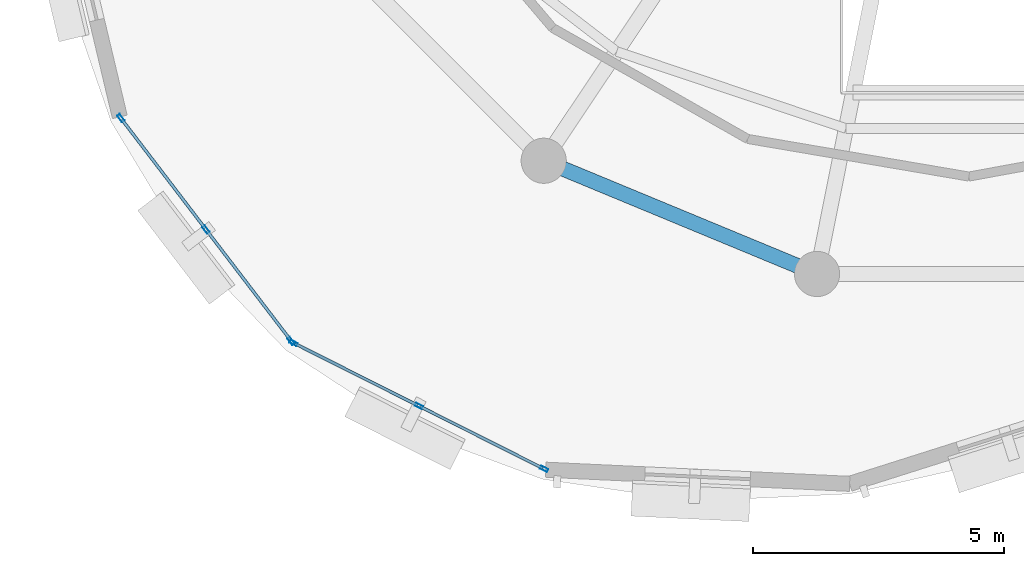
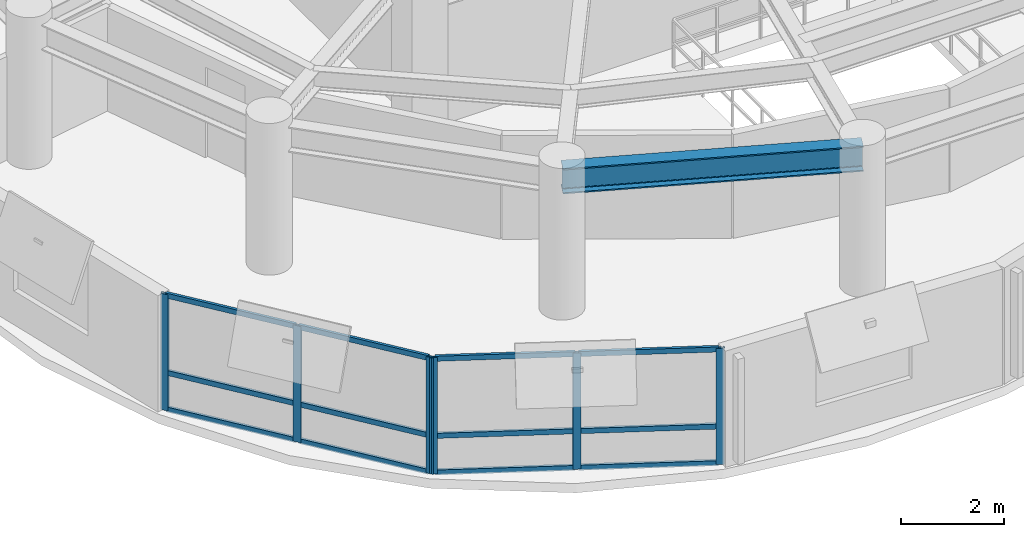
# One storey, part 2 of 11: 18 members, 1 beam, 2 elements without a shape of their own.
"""IFC4 building model written with IfcOpenShell, lengths in metres."""

from ifc_helpers import new_model, si_unit, direction, frame, origin, origin_2d, place, context, subcontext, project, spatial, hollow_rectangle, i_section, extrude, material, layer, layer_set, material_profile, profile_set, type_object, element, aggregate, save


model = new_model("IFC4")

# Units and contexts
model_context = context("Model", 3, precision=1e-05, world=origin(), true_north=direction((0.0, 1.0)))
body_context = subcontext(model_context, "Body", "Model", "MODEL_VIEW")
ifc_project = project(units=[si_unit("LENGTHUNIT", "METRE"), si_unit("AREAUNIT", "SQUARE_METRE"), si_unit("VOLUMEUNIT", "CUBIC_METRE"), si_unit("PLANEANGLEUNIT", "RADIAN"), si_unit("MASSUNIT", "GRAM", prefix="KILO"), si_unit("THERMODYNAMICTEMPERATUREUNIT", "KELVIN"), si_unit("POWERUNIT", "WATT")], contexts=[model_context])

# Site, building, storey
site_placement = place(None, origin())
site = spatial("IfcSite", under=ifc_project, at=site_placement, CompositionType="ELEMENT")
building_placement = place(site_placement, origin())
building = spatial("IfcBuilding", under=site, at=building_placement, Name="Ocrelia Relay Tower", CompositionType="ELEMENT")
storey_placement = place(building_placement, frame((0.0, 0.0, 241.199951171875)))
storey = spatial("IfcBuildingStorey", under=building, at=storey_placement, Name="L59", CompositionType="ELEMENT", Elevation=241.199951171875)

# Beam
ifc_material_1 = material(Name="Steel S355", Category="steel")
ifc_material_profile_1 = material_profile(ifc_material_1, i_section(OverallWidth=0.300048828125, OverallDepth=0.60009765625, WebThickness=0.015380859375, FlangeThickness=0.030029296875, FilletRadius=0.027099609375, at=origin_2d()), Name="HEB 600")
ifc_profile_set_1 = profile_set([ifc_material_profile_1], Name="Steel S355")
beam_type = type_object("IfcBeamType", Name="BM-HEB600", PredefinedType="BEAM", material=ifc_profile_set_1)
beam_placement = place(storey_placement, frame((25.61083984375, 13.44482421875, 3.080078125), z_axis=(0.923884009374, -0.382672624084, 0.0), x_axis=(0.382672624084, 0.923884009374, 0.0)))
element("IfcBeam", 1, at=beam_placement, inside=storey, type_object=beam_type, Name="L59 Perimeter Spandrel Beam S11", PredefinedType="BEAM", context=body_context, shape_type="SweptSolid", body=[
    extrude(i_section(OverallWidth=0.300048828125, OverallDepth=0.60009765625, WebThickness=0.015380859375, FlangeThickness=0.030029296875, FilletRadius=0.027099609375, at=origin_2d()), origin(), (0.0, 0.0, 1.0), 5.891845703125),
])

# Curtain wall, members
ifc_material_2 = material(Name="Aluminium and solar-control low-E glass", Category="aluminium")
ifc_layer = layer(ifc_material_2, 0.179931640625, Name="Aluminium and solar-control low-E glass")
ifc_layer_set = layer_set([ifc_layer], Name="Aluminium and solar-control low-E glass")
curtain_wall_type = type_object("IfcCurtainWallType", Name="CW-SYS-Z4-EXEC", PredefinedType="NOTDEFINED", material=ifc_layer_set)
curtain_wall_1_placement = place(storey_placement, origin())
curtain_wall_1 = element("IfcCurtainWall", 2, at=curtain_wall_1_placement, inside=storey, type_object=curtain_wall_type, Name="L59 Elliptical Tower Curtain Wall Bay 09", PredefinedType="NOTDEFINED")
ifc_material_3 = material(Name="Anodised bronze aluminium", Category="aluminium")
ifc_material_profile_2 = material_profile(ifc_material_3, hollow_rectangle(XDim=0.06494140625, YDim=0.159912109375, WallThickness=0.0048828125, at=origin_2d()), Name="CW-MUL-160x65")
ifc_profile_set_2 = profile_set([ifc_material_profile_2], Name="Anodised bronze aluminium")
member_type_1 = type_object("IfcMemberType", Name="CW-SYS-Z4-EXEC-MUL", PredefinedType="MULLION", material=ifc_profile_set_2)
member_1_placement = place(storey_placement, frame((17.18798828125, 14.2939453125, 0.0), z_axis=(0.0, 0.0, 1.0), x_axis=(0.794435690693, 0.607348280111, 0.0)))
member_1 = element("IfcMember", 3, at=member_1_placement, type_object=member_type_1, Name="CW-Z4 mullion 1", PredefinedType="MULLION", context=body_context, shape_type="SweptSolid", body=[
    extrude(hollow_rectangle(XDim=0.06494140625, YDim=0.159912109375, WallThickness=0.0048828125, at=origin_2d()), origin(), (0.0, 0.0, 1.0), 2.760009765625),
])
member_2_placement = place(storey_placement, frame((18.884033203125, 12.0751953125, 0.0), z_axis=(0.0, 0.0, 1.0), x_axis=(0.794435690693, 0.607348280111, 0.0)))
member_2 = element("IfcMember", 4, at=member_2_placement, type_object=member_type_1, Name="CW-Z4 mullion 2", PredefinedType="MULLION", context=body_context, shape_type="SweptSolid", body=[
    extrude(hollow_rectangle(XDim=0.06494140625, YDim=0.159912109375, WallThickness=0.0048828125, at=origin_2d()), origin(), (0.0, 0.0, 1.0), 2.760009765625),
])
member_3_placement = place(storey_placement, frame((20.580322265625, 9.856689453125, 0.0), z_axis=(0.0, 0.0, 1.0), x_axis=(0.794435690693, 0.607348280111, 0.0)))
member_3 = element("IfcMember", 5, at=member_3_placement, type_object=member_type_1, Name="CW-Z4 mullion 3", PredefinedType="MULLION", context=body_context, shape_type="SweptSolid", body=[
    extrude(hollow_rectangle(XDim=0.06494140625, YDim=0.159912109375, WallThickness=0.0048828125, at=origin_2d()), origin(), (0.0, 0.0, 1.0), 2.760009765625),
])

curtain_wall_2_placement = place(storey_placement, origin())
curtain_wall_2 = element("IfcCurtainWall", 6, at=curtain_wall_2_placement, inside=storey, type_object=curtain_wall_type, Name="L59 Elliptical Tower Curtain Wall Bay 10", PredefinedType="NOTDEFINED")
member_4_placement = place(storey_placement, frame((20.629150390625, 9.81640625, 0.0), z_axis=(0.0, 0.0, 1.0), x_axis=(0.449286622511, 0.893387671077, 0.0)))
member_4 = element("IfcMember", 7, at=member_4_placement, type_object=member_type_1, Name="CW-Z4 mullion 1", PredefinedType="MULLION", context=body_context, shape_type="SweptSolid", body=[
    extrude(hollow_rectangle(XDim=0.06494140625, YDim=0.159912109375, WallThickness=0.0048828125, at=origin_2d()), origin(), (0.0, 0.0, 1.0), 2.760009765625),
])
member_5_placement = place(storey_placement, frame((23.1240234375, 8.5615234375, 0.0), z_axis=(0.0, 0.0, 1.0), x_axis=(0.449286622511, 0.893387671077, 0.0)))
member_5 = element("IfcMember", 8, at=member_5_placement, type_object=member_type_1, Name="CW-Z4 mullion 2", PredefinedType="MULLION", context=body_context, shape_type="SweptSolid", body=[
    extrude(hollow_rectangle(XDim=0.06494140625, YDim=0.159912109375, WallThickness=0.0048828125, at=origin_2d()), origin(), (0.0, 0.0, 1.0), 2.760009765625),
])
member_6_placement = place(storey_placement, frame((25.618896484375, 7.306884765625, 0.0), z_axis=(0.0, 0.0, 1.0), x_axis=(0.449286622511, 0.893387671077, 0.0)))
member_6 = element("IfcMember", 9, at=member_6_placement, type_object=member_type_1, Name="CW-Z4 mullion 3", PredefinedType="MULLION", context=body_context, shape_type="SweptSolid", body=[
    extrude(hollow_rectangle(XDim=0.06494140625, YDim=0.159912109375, WallThickness=0.0048828125, at=origin_2d()), origin(), (0.0, 0.0, 1.0), 2.760009765625),
])

# Member
ifc_material_profile_3 = material_profile(ifc_material_3, hollow_rectangle(XDim=0.06005859375, YDim=0.1201171875, WallThickness=0.0048828125, at=origin_2d()), Name="CW-TRN-120x60")
ifc_profile_set_3 = profile_set([ifc_material_profile_3], Name="Anodised bronze aluminium")
member_type_2 = type_object("IfcMemberType", Name="CW-SYS-Z4-EXEC-TRN", PredefinedType="USERDEFINED", material=ifc_profile_set_3)
member_7_placement = place(storey_placement, frame((17.207763671875, 14.26806640625, 0.030029296875), z_axis=(0.607363728238, -0.794423880319, 0.0), x_axis=(0.794423880319, 0.607363728238, 0.0)))
member_7 = element("IfcMember", 10, at=member_7_placement, type_object=member_type_2, Name="CW-Z4 transom 1.1", ObjectType="TRANSOM", PredefinedType="USERDEFINED", context=body_context, shape_type="SweptSolid", body=[
    extrude(hollow_rectangle(XDim=0.06005859375, YDim=0.1201171875, WallThickness=0.0048828125, at=origin_2d()), origin(), (0.0, 0.0, 1.0), 2.727783203125),
])

member_8_placement = place(storey_placement, frame((17.207763671875, 14.26806640625, 0.900146484375), z_axis=(0.607363728238, -0.794423880319, 0.0), x_axis=(0.794423880319, 0.607363728238, 0.0)))
member_8 = element("IfcMember", 11, at=member_8_placement, type_object=member_type_2, Name="CW-Z4 transom 1.2", ObjectType="TRANSOM", PredefinedType="USERDEFINED", context=body_context, shape_type="SweptSolid", body=[
    extrude(hollow_rectangle(XDim=0.06005859375, YDim=0.1201171875, WallThickness=0.0048828125, at=origin_2d()), origin(), (0.0, 0.0, 1.0), 2.727783203125),
])

member_9_placement = place(storey_placement, frame((17.207763671875, 14.26806640625, 2.72998046875), z_axis=(0.607363728238, -0.794423880319, 0.0), x_axis=(0.794423880319, 0.607363728238, 0.0)))
member_9 = element("IfcMember", 12, at=member_9_placement, type_object=member_type_2, Name="CW-Z4 transom 1.3", ObjectType="TRANSOM", PredefinedType="USERDEFINED", context=body_context, shape_type="SweptSolid", body=[
    extrude(hollow_rectangle(XDim=0.06005859375, YDim=0.1201171875, WallThickness=0.0048828125, at=origin_2d()), origin(), (0.0, 0.0, 1.0), 2.727783203125),
])

member_10_placement = place(storey_placement, frame((18.90380859375, 12.049560546875, 0.030029296875), z_axis=(0.607363728238, -0.794423880319, 0.0), x_axis=(0.794423880319, 0.607363728238, 0.0)))
member_10 = element("IfcMember", 13, at=member_10_placement, type_object=member_type_2, Name="CW-Z4 transom 2.1", ObjectType="TRANSOM", PredefinedType="USERDEFINED", context=body_context, shape_type="SweptSolid", body=[
    extrude(hollow_rectangle(XDim=0.06005859375, YDim=0.1201171875, WallThickness=0.0048828125, at=origin_2d()), origin(), (0.0, 0.0, 1.0), 2.727783203125),
])

member_11_placement = place(storey_placement, frame((18.90380859375, 12.049560546875, 0.900146484375), z_axis=(0.607363728238, -0.794423880319, 0.0), x_axis=(0.794423880319, 0.607363728238, 0.0)))
member_11 = element("IfcMember", 14, at=member_11_placement, type_object=member_type_2, Name="CW-Z4 transom 2.2", ObjectType="TRANSOM", PredefinedType="USERDEFINED", context=body_context, shape_type="SweptSolid", body=[
    extrude(hollow_rectangle(XDim=0.06005859375, YDim=0.1201171875, WallThickness=0.0048828125, at=origin_2d()), origin(), (0.0, 0.0, 1.0), 2.727783203125),
])

member_12_placement = place(storey_placement, frame((18.90380859375, 12.049560546875, 2.72998046875), z_axis=(0.607363728238, -0.794423880319, 0.0), x_axis=(0.794423880319, 0.607363728238, 0.0)))
member_12 = element("IfcMember", 15, at=member_12_placement, type_object=member_type_2, Name="CW-Z4 transom 2.3", ObjectType="TRANSOM", PredefinedType="USERDEFINED", context=body_context, shape_type="SweptSolid", body=[
    extrude(hollow_rectangle(XDim=0.06005859375, YDim=0.1201171875, WallThickness=0.0048828125, at=origin_2d()), origin(), (0.0, 0.0, 1.0), 2.727783203125),
])

aggregate(curtain_wall_1, [member_1, member_2, member_3, member_7, member_8, member_9, member_10, member_11, member_12])

member_13_placement = place(storey_placement, frame((20.657958984375, 9.8017578125, 0.030029296875), z_axis=(0.893386583651, -0.449288784806, 0.0), x_axis=(0.449288784806, 0.893386583651, 0.0)))
member_13 = element("IfcMember", 16, at=member_13_placement, type_object=member_type_2, Name="CW-Z4 transom 1.1", ObjectType="TRANSOM", PredefinedType="USERDEFINED", context=body_context, shape_type="SweptSolid", body=[
    extrude(hollow_rectangle(XDim=0.06005859375, YDim=0.1201171875, WallThickness=0.0048828125, at=origin_2d()), origin(), (0.0, 0.0, 1.0), 2.727783203125),
])

member_14_placement = place(storey_placement, frame((20.657958984375, 9.8017578125, 0.900146484375), z_axis=(0.893386583651, -0.449288784806, 0.0), x_axis=(0.449288784806, 0.893386583651, 0.0)))
member_14 = element("IfcMember", 17, at=member_14_placement, type_object=member_type_2, Name="CW-Z4 transom 1.2", ObjectType="TRANSOM", PredefinedType="USERDEFINED", context=body_context, shape_type="SweptSolid", body=[
    extrude(hollow_rectangle(XDim=0.06005859375, YDim=0.1201171875, WallThickness=0.0048828125, at=origin_2d()), origin(), (0.0, 0.0, 1.0), 2.727783203125),
])

member_15_placement = place(storey_placement, frame((20.657958984375, 9.8017578125, 2.72998046875), z_axis=(0.893386583651, -0.449288784806, 0.0), x_axis=(0.449288784806, 0.893386583651, 0.0)))
member_15 = element("IfcMember", 18, at=member_15_placement, type_object=member_type_2, Name="CW-Z4 transom 1.3", ObjectType="TRANSOM", PredefinedType="USERDEFINED", context=body_context, shape_type="SweptSolid", body=[
    extrude(hollow_rectangle(XDim=0.06005859375, YDim=0.1201171875, WallThickness=0.0048828125, at=origin_2d()), origin(), (0.0, 0.0, 1.0), 2.727783203125),
])

member_16_placement = place(storey_placement, frame((23.153076171875, 8.547119140625, 0.030029296875), z_axis=(0.893368515026, -0.449324711495, 0.0), x_axis=(0.449324711495, 0.893368515026, 0.0)))
member_16 = element("IfcMember", 19, at=member_16_placement, type_object=member_type_2, Name="CW-Z4 transom 2.1", ObjectType="TRANSOM", PredefinedType="USERDEFINED", context=body_context, shape_type="SweptSolid", body=[
    extrude(hollow_rectangle(XDim=0.06005859375, YDim=0.1201171875, WallThickness=0.0048828125, at=origin_2d()), origin(), (0.0, 0.0, 1.0), 2.7275390625),
])

member_17_placement = place(storey_placement, frame((23.153076171875, 8.547119140625, 0.900146484375), z_axis=(0.893368515026, -0.449324711495, 0.0), x_axis=(0.449324711495, 0.893368515026, 0.0)))
member_17 = element("IfcMember", 20, at=member_17_placement, type_object=member_type_2, Name="CW-Z4 transom 2.2", ObjectType="TRANSOM", PredefinedType="USERDEFINED", context=body_context, shape_type="SweptSolid", body=[
    extrude(hollow_rectangle(XDim=0.06005859375, YDim=0.1201171875, WallThickness=0.0048828125, at=origin_2d()), origin(), (0.0, 0.0, 1.0), 2.7275390625),
])

member_18_placement = place(storey_placement, frame((23.153076171875, 8.547119140625, 2.72998046875), z_axis=(0.893368515026, -0.449324711495, 0.0), x_axis=(0.449324711495, 0.893368515026, 0.0)))
member_18 = element("IfcMember", 21, at=member_18_placement, type_object=member_type_2, Name="CW-Z4 transom 2.3", ObjectType="TRANSOM", PredefinedType="USERDEFINED", context=body_context, shape_type="SweptSolid", body=[
    extrude(hollow_rectangle(XDim=0.06005859375, YDim=0.1201171875, WallThickness=0.0048828125, at=origin_2d()), origin(), (0.0, 0.0, 1.0), 2.7275390625),
])

aggregate(curtain_wall_2, [member_4, member_5, member_6, member_13, member_14, member_15, member_16, member_17, member_18])

save(model, "model.ifc")
